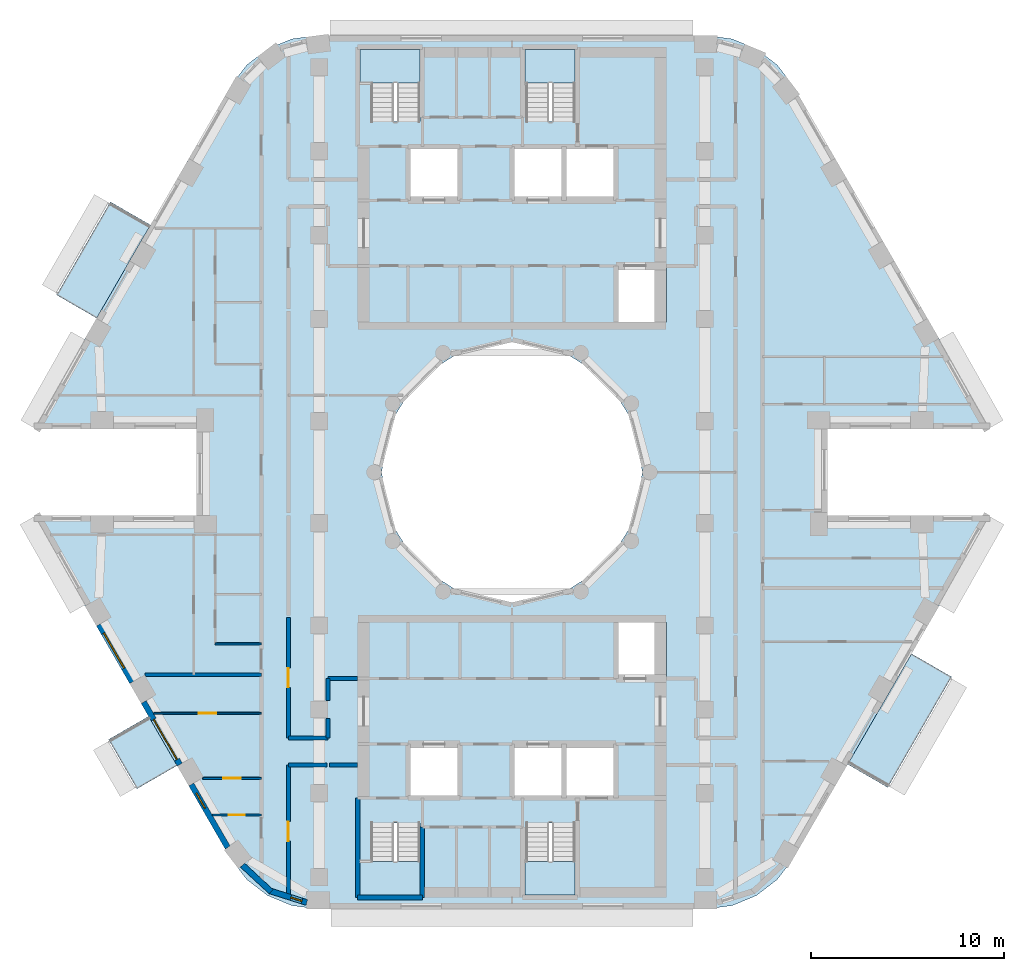
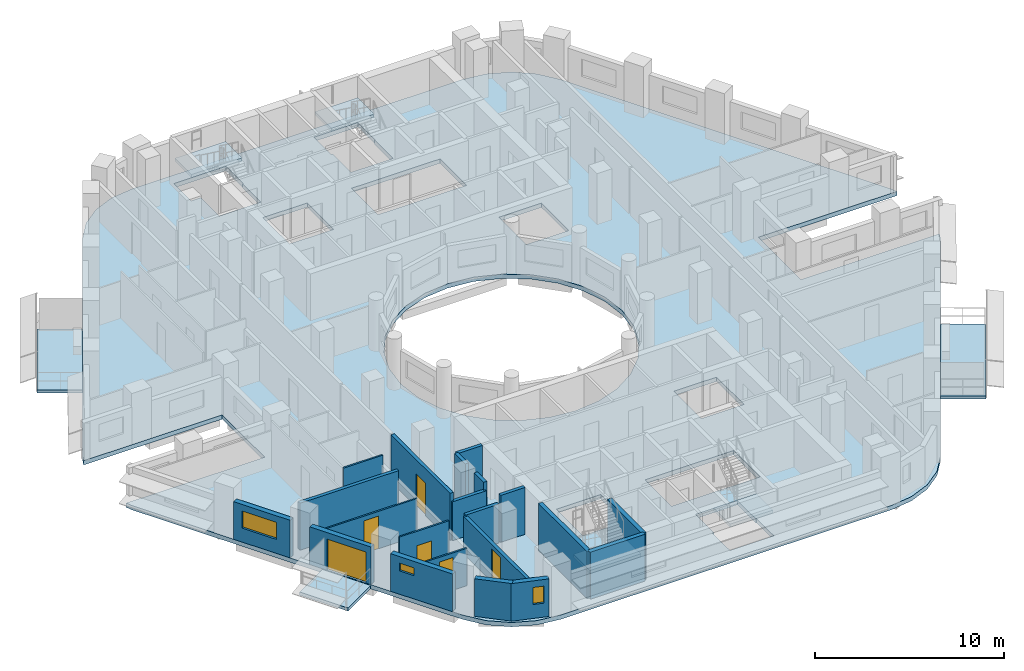
# One storey, part 2 of 17: 21 walls, 8 slabs, 6 doors, 3 windows, 9 openings, 4 elements without a shape of their own.
"""IFC4 building model written with IfcOpenShell, lengths in metres."""

from ifc_helpers import new_model, si_unit, direction, frame, frame_2d, origin, place, context, subcontext, project, spatial, polyline, rectangle, outline, extrude, material, layer, layer_set, type_object, element, fill, aggregate, save


model = new_model("IFC4")

# Units and contexts
model_context = context("Model", 3, precision=1e-05, world=origin(), true_north=direction((0.0, 1.0)))
body_context = subcontext(model_context, "Body", "Model", "MODEL_VIEW")
ifc_project = project(units=[si_unit("LENGTHUNIT", "METRE"), si_unit("AREAUNIT", "SQUARE_METRE"), si_unit("VOLUMEUNIT", "CUBIC_METRE"), si_unit("PLANEANGLEUNIT", "RADIAN"), si_unit("MASSUNIT", "GRAM", prefix="KILO")], contexts=[model_context])

# Site, building, storey
site_placement = place(None, origin())
site = spatial("IfcSite", under=ifc_project, at=site_placement, CompositionType="ELEMENT")
building_placement = place(site_placement, origin())
building = spatial("IfcBuilding", under=site, at=building_placement, Name="Nakaniwa Court", CompositionType="ELEMENT")
storey_placement = place(building_placement, frame((0.0, 0.0, 203.10009765625)))
storey = spatial("IfcBuildingStorey", under=building, at=storey_placement, Name="L53", CompositionType="ELEMENT", Elevation=203.10009765625)

# Slabs
ifc_material_1 = material(Name="Charcoal ceramic paver")
ifc_layer_1 = layer(ifc_material_1, 0.02, Name="Ceramic paver")
ifc_material_2 = material(Name="Cement sand screed")
ifc_layer_2 = layer(ifc_material_2, 0.03, Name="Falls screed")
ifc_material_3 = material(Name="Concrete C40/50", Category="concrete")
ifc_layer_3 = layer(ifc_material_3, 0.15, Name="Balcony slab")
ifc_layer_set_1 = layer_set([ifc_layer_1, ifc_layer_2, ifc_layer_3], Name="Concrete C40/50 balcony slab with ceramic paver finish")
slab_type_1 = type_object("IfcSlabType", Name="Balcony slab 200", PredefinedType="FLOOR", material=ifc_layer_set_1)
slab_1_placement = place(storey_placement, frame((0.0, 0.0, -0.25)))
element("IfcSlab", 1, at=slab_1_placement, inside=storey, type_object=slab_type_1, Name="L53 balcony 01", PredefinedType="FLOOR", context=body_context, shape_type="SweptSolid", body=[
    extrude(outline(polyline([(61.2490234375, 92.822509765625), (58.46142578125, 87.994140625), (56.383056640625, 89.194091796875), (59.170654296875, 94.0224609375), (61.2490234375, 92.822509765625)])), origin(), (0.0, 0.0, 1.0), 0.199951171875),
])
slab_2_placement = place(storey_placement, frame((0.0, 0.0, -0.25)))
element("IfcSlab", 2, at=slab_2_placement, inside=storey, type_object=slab_type_1, Name="L53 balcony 02", PredefinedType="FLOOR", context=body_context, shape_type="SweptSolid", body=[
    extrude(outline(polyline([(61.1552734375, 67.340087890625), (62.629150390625, 64.787353515625), (60.55078125, 63.58740234375), (59.076904296875, 66.139892578125), (61.1552734375, 67.340087890625)])), origin(), (0.0, 0.0, 1.0), 0.199951171875),
])
slab_3_placement = place(storey_placement, frame((0.0, 0.0, -0.25)))
element("IfcSlab", 3, at=slab_3_placement, inside=storey, type_object=slab_type_1, Name="L53 balcony 03", PredefinedType="FLOOR", context=body_context, shape_type="SweptSolid", body=[
    extrude(outline(polyline([(97.409423828125, 64.85400390625), (100.718994140625, 70.586181640625), (102.797607421875, 69.38623046875), (99.48779296875, 63.65380859375), (97.409423828125, 64.85400390625)])), origin(), (0.0, 0.0, 1.0), 0.199951171875),
])
ifc_material_4 = material(Name="Concrete C80/100", Category="concrete")
ifc_layer_4 = layer(ifc_material_4, 0.27490234375)
ifc_layer_set_2 = layer_set([ifc_layer_4], Name="Concrete C80/100")
slab_type_2 = type_object("IfcSlabType", Name="Concrete C80/100 post tensioned floor slab 275", PredefinedType="FLOOR", material=ifc_layer_set_2)
slab_4_placement = place(storey_placement, frame((0.0, 0.0, -0.275146484375)))
element("IfcSlab", 4, at=slab_4_placement, inside=storey, type_object=slab_type_2, Name="FLOOR SLAB", PredefinedType="FLOOR", context=body_context, shape_type="SweptSolid", body=[
    extrude(outline(polyline([(96.349609375, 82.25), (104.7978515625, 82.25), (104.65283203125, 82.60009765625), (94.578125, 100.050048828125), (93.751708984375, 101.126953125), (92.6748046875, 101.953369140625), (91.420654296875, 102.472900390625), (90.07470703125, 102.64990234375), (69.92529296875, 102.64990234375), (68.579345703125, 102.472900390625), (67.3251953125, 101.953369140625), (66.248291015625, 101.126953125), (65.421875, 100.050048828125), (55.34716796875, 82.60009765625), (55.2021484375, 82.25), (63.650390625, 82.25), (63.650390625, 77.75), (55.2021484375, 77.75), (55.34716796875, 77.39990234375), (65.421875, 59.949951171875), (66.248291015625, 58.873046875), (67.3251953125, 58.046630859375), (68.579345703125, 57.527099609375), (69.92529296875, 57.35009765625), (90.07470703125, 57.35009765625), (91.420654296875, 57.527099609375), (92.6748046875, 58.046630859375), (93.751708984375, 58.873046875), (94.578125, 59.949951171875), (104.65283203125, 77.39990234375), (104.7978515625, 77.75), (96.349609375, 77.75), (96.349609375, 82.25)]), holes=[polyline([(81.501953125, 86.580810546875), (80.0, 86.75), (78.498046875, 86.580810546875), (77.0712890625, 86.08154296875), (75.79150390625, 85.27734375), (74.72265625, 84.20849609375), (73.91845703125, 82.9287109375), (73.419189453125, 81.501953125), (73.25, 80.0), (73.419189453125, 78.498046875), (73.91845703125, 77.0712890625), (74.72265625, 75.79150390625), (75.79150390625, 74.72265625), (77.0712890625, 73.91845703125), (78.498046875, 73.419189453125), (80.0, 73.25), (81.501953125, 73.419189453125), (82.9287109375, 73.91845703125), (84.20849609375, 74.72265625), (85.27734375, 75.79150390625), (86.08154296875, 77.0712890625), (86.580810546875, 78.498046875), (86.75, 80.0), (86.580810546875, 81.501953125), (86.08154296875, 82.9287109375), (85.27734375, 84.20849609375), (84.20849609375, 85.27734375), (82.9287109375, 86.08154296875), (81.501953125, 86.580810546875)]), polyline([(72.675048828125, 61.81005859375), (72.675048828125, 59.864990234375), (72.0849609375, 59.864990234375), (72.0849609375, 58.034912109375), (75.264892578125, 58.034912109375), (75.264892578125, 59.864990234375), (75.22509765625, 59.864990234375), (75.22509765625, 61.81005859375), (72.675048828125, 61.81005859375)]), polyline([(77.300048828125, 65.89990234375), (74.60009765625, 65.89990234375), (74.60009765625, 63.10009765625), (77.300048828125, 63.10009765625), (77.300048828125, 65.89990234375)]), polyline([(80.0, 65.89990234375), (80.0, 63.10009765625), (82.699951171875, 63.10009765625), (85.39990234375, 63.10009765625), (85.39990234375, 65.89990234375), (82.699951171875, 65.89990234375), (80.0, 65.89990234375)]), polyline([(77.300048828125, 96.89990234375), (74.60009765625, 96.89990234375), (74.60009765625, 94.10009765625), (77.300048828125, 94.10009765625), (77.300048828125, 96.89990234375)]), polyline([(80.0, 96.89990234375), (80.0, 94.10009765625), (82.699951171875, 94.10009765625), (85.39990234375, 94.10009765625), (85.39990234375, 96.89990234375), (82.699951171875, 96.89990234375), (80.0, 96.89990234375)]), polyline([(75.264892578125, 100.135009765625), (75.264892578125, 101.965087890625), (72.0849609375, 101.965087890625), (72.0849609375, 100.135009765625), (72.675048828125, 100.135009765625), (72.675048828125, 98.18994140625), (75.22509765625, 98.18994140625), (75.22509765625, 100.135009765625), (75.264892578125, 100.135009765625)]), polyline([(83.27490234375, 61.81005859375), (80.72509765625, 61.81005859375), (80.72509765625, 59.864990234375), (80.635009765625, 59.864990234375), (80.635009765625, 58.034912109375), (83.31494140625, 58.034912109375), (83.31494140625, 59.864990234375), (83.27490234375, 59.864990234375), (83.27490234375, 61.81005859375)]), polyline([(88.0, 72.199951171875), (85.39990234375, 72.199951171875), (85.39990234375, 69.300048828125), (88.0, 69.300048828125), (88.0, 72.199951171875)]), polyline([(88.0, 90.699951171875), (85.39990234375, 90.699951171875), (85.39990234375, 87.800048828125), (88.0, 87.800048828125), (88.0, 90.699951171875)]), polyline([(83.31494140625, 100.135009765625), (83.31494140625, 101.965087890625), (80.635009765625, 101.965087890625), (80.635009765625, 100.135009765625), (80.72509765625, 100.135009765625), (80.72509765625, 98.18994140625), (83.27490234375, 98.18994140625), (83.27490234375, 100.135009765625), (83.31494140625, 100.135009765625)])]), origin(), (0.0, 0.0, 1.0), 0.275146484375),
])

# Stair, slab
stair_type = type_object("IfcStairType", Name="Dog leg stair 1200 wide 18 risers", PredefinedType="HALF_TURN_STAIR", material=ifc_material_4)
stair_1_placement = place(storey_placement, origin())
stair_1 = element("IfcStair", 5, at=stair_1_placement, inside=storey, type_object=stair_type, Name="L53 Stair ST1", PredefinedType="HALF_TURN_STAIR")
ifc_layer_5 = layer(ifc_material_4, 0.199951171875)
ifc_layer_set_3 = layer_set([ifc_layer_5], Name="Concrete C80/100")
slab_type_3 = type_object("IfcSlabType", Name="Stair landing concrete", PredefinedType="LANDING", material=ifc_layer_set_3)
slab_5_placement = place(storey_placement, frame((0.0, 0.0, 1.449951171875)))
slab_5 = element("IfcSlab", 6, at=slab_5_placement, type_object=slab_type_3, Name="ST1 landing 1", PredefinedType="LANDING", context=body_context, shape_type="SweptSolid", body=[
    extrude(outline(polyline([(75.22509765625, 100.175048828125), (75.22509765625, 101.925048828125), (72.125, 101.925048828125), (72.125, 100.175048828125), (75.22509765625, 100.175048828125)])), origin(), (0.0, 0.0, 1.0), 0.199951171875),
])
aggregate(stair_1, [slab_5])

stair_2_placement = place(storey_placement, origin())
stair_2 = element("IfcStair", 7, at=stair_2_placement, inside=storey, type_object=stair_type, Name="L53 Stair ST2", PredefinedType="HALF_TURN_STAIR")
slab_6_placement = place(storey_placement, frame((0.0, 0.0, 1.449951171875)))
slab_6 = element("IfcSlab", 8, at=slab_6_placement, type_object=slab_type_3, Name="ST2 landing 1", PredefinedType="LANDING", context=body_context, shape_type="SweptSolid", body=[
    extrude(outline(polyline([(83.27490234375, 100.175048828125), (83.27490234375, 101.925048828125), (80.675048828125, 101.925048828125), (80.675048828125, 100.175048828125), (83.27490234375, 100.175048828125)])), origin(), (0.0, 0.0, 1.0), 0.199951171875),
])
aggregate(stair_2, [slab_6])

stair_3_placement = place(storey_placement, origin())
stair_3 = element("IfcStair", 9, at=stair_3_placement, inside=storey, type_object=stair_type, Name="L53 Stair ST3", PredefinedType="HALF_TURN_STAIR")
slab_7_placement = place(storey_placement, frame((0.0, 0.0, 1.449951171875)))
slab_7 = element("IfcSlab", 10, at=slab_7_placement, type_object=slab_type_3, Name="ST3 landing 1", PredefinedType="LANDING", context=body_context, shape_type="SweptSolid", body=[
    extrude(outline(polyline([(75.22509765625, 58.074951171875), (75.22509765625, 59.824951171875), (72.125, 59.824951171875), (72.125, 58.074951171875), (75.22509765625, 58.074951171875)])), origin(), (0.0, 0.0, 1.0), 0.199951171875),
])
aggregate(stair_3, [slab_7])

stair_4_placement = place(storey_placement, origin())
stair_4 = element("IfcStair", 11, at=stair_4_placement, inside=storey, type_object=stair_type, Name="L53 Stair ST4", PredefinedType="HALF_TURN_STAIR")
slab_8_placement = place(storey_placement, frame((0.0, 0.0, 1.449951171875)))
slab_8 = element("IfcSlab", 12, at=slab_8_placement, type_object=slab_type_3, Name="ST4 landing 1", PredefinedType="LANDING", context=body_context, shape_type="SweptSolid", body=[
    extrude(outline(polyline([(83.27490234375, 58.074951171875), (83.27490234375, 59.824951171875), (80.675048828125, 59.824951171875), (80.675048828125, 58.074951171875), (83.27490234375, 58.074951171875)])), origin(), (0.0, 0.0, 1.0), 0.199951171875),
])
aggregate(stair_4, [slab_8])

# Walls
ifc_material_5 = material(Name="Acoustic double stud partition")
ifc_layer_6 = layer(ifc_material_5, 0.199951171875)
ifc_layer_set_4 = layer_set([ifc_layer_6], Name="Acoustic double stud partition")
wall_type_1 = type_object("IfcWallType", Name="Acoustic double stud partition 200", PredefinedType="PARTITIONING", material=ifc_layer_set_4)
wall_1_placement = place(storey_placement, frame((68.39990234375, 64.824951171875, 0.0), z_axis=(0.0, 0.0, 1.0), x_axis=(1.0, 0.0, 0.0)))
element("IfcWall", 13, at=wall_1_placement, inside=storey, type_object=wall_type_1, Name="Partition PW-080", PredefinedType="PARTITIONING", context=body_context, shape_type="SweptSolid", body=[
    extrude(rectangle(XDim=2.012939453125, YDim=0.199951171875, at=frame_2d((1.00634765625, 0.0))), origin(), (0.0, 0.0, 1.0), 2.5048828125),
])
wall_2_placement = place(storey_placement, frame((70.527099609375, 64.824951171875, 0.0), z_axis=(0.0, 0.0, 1.0), x_axis=(1.0, 0.0, 0.0)))
element("IfcWall", 14, at=wall_2_placement, inside=storey, type_object=wall_type_1, Name="Partition PW-081", PredefinedType="PARTITIONING", context=body_context, shape_type="SweptSolid", body=[
    extrude(rectangle(XDim=1.472900390625, YDim=0.199951171875, at=frame_2d((0.736328125, 0.0))), origin(), (0.0, 0.0, 1.0), 3.02490234375),
])
wall_3_placement = place(storey_placement, frame((70.449951171875, 69.300048828125, 0.0), z_axis=(0.0, 0.0, 1.0), x_axis=(1.0, 0.0, 0.0)))
element("IfcWall", 15, at=wall_3_placement, inside=storey, type_object=wall_type_1, Name="Partition PW-085", PredefinedType="PARTITIONING", context=body_context, shape_type="SweptSolid", body=[
    extrude(rectangle(XDim=1.550048828125, YDim=0.199951171875, at=frame_2d((0.77490234375, 0.0))), origin(), (0.0, 0.0, 1.0), 3.02490234375),
])
wall_4_placement = place(storey_placement, frame((68.39990234375, 66.22509765625, 0.0), z_axis=(0.0, 0.0, 1.0), x_axis=(1.0, 0.0, 0.0)))
element("IfcWall", 16, at=wall_4_placement, inside=storey, type_object=wall_type_1, Name="Partition PW-091", PredefinedType="PARTITIONING", context=body_context, shape_type="SweptSolid", body=[
    extrude(rectangle(XDim=2.050048828125, YDim=0.199951171875, at=frame_2d((1.02490234375, 0.0))), origin(), (0.0, 0.0, 1.0), 2.5048828125),
])

# Wall, opening, door
wall_5_placement = place(storey_placement, frame((68.39990234375, 64.824951171875, 0.0), z_axis=(0.0, 0.0, 1.0), x_axis=(0.0, -1.0, 0.0)))
wall_5 = element("IfcWall", 17, at=wall_5_placement, inside=storey, type_object=wall_type_1, Name="Partition PW-101", PredefinedType="PARTITIONING", context=body_context, shape_type="SweptSolid", body=[
    extrude(rectangle(XDim=6.898681640625, YDim=0.199951171875, at=frame_2d((3.44921875, 0.0))), origin(), (0.0, 0.0, 1.0), 2.40478515625),
])
opening_1_placement = place(wall_5_placement, frame((2.949951171875, 0.0, 0.0)))
opening_1 = element("IfcOpeningElement", 18, at=opening_1_placement, cuts=wall_5, Name="Opening D-02-04", PredefinedType="OPENING", context=body_context, shape_type="SweptSolid", body=[
    extrude(rectangle(XDim=1.0, YDim=2.10009765625, at=frame_2d((0.5, 1.050048828125))), frame((0.0, 0.10986328125, 0.0), z_axis=(0.0, -1.0, 0.0), x_axis=(1.0, 0.0, 0.0)), (0.0, 0.0, 1.0), 0.219970703125),
])
ifc_material_6 = material(Name="Solid core timber door set, black veneer", Category="wood")
door_type_1 = type_object("IfcDoorType", Name="Internal door 1000", OperationType="NOTDEFINED", PredefinedType="DOOR", material=ifc_material_6)
door_1_placement = place(opening_1_placement, origin())
door_1 = element("IfcDoor", 19, at=door_1_placement, inside=storey, type_object=door_type_1, Name="Door D-02-04 L53-041", OperationType="SINGLE_SWING_RIGHT", OverallHeight=2.10009765625, OverallWidth=1.0, PredefinedType="DOOR", context=body_context, shape_type="SweptSolid", body=[
    extrude(rectangle(XDim=1.0, YDim=2.10009765625, at=frame_2d((0.5, 1.050048828125))), frame((0.0, 0.02490234375, 0.0), z_axis=(0.0, -1.0, 0.0), x_axis=(1.0, 0.0, 0.0)), (0.0, 0.0, 1.0), 0.050048828125),
])
fill(opening_1, door_1)

wall_6_placement = place(storey_placement, frame((68.39990234375, 72.462890625, 0.0), z_axis=(0.0, 0.0, 1.0), x_axis=(0.0, -1.0, 0.0)))
wall_6 = element("IfcWall", 20, at=wall_6_placement, inside=storey, type_object=wall_type_1, Name="Partition PW-102", PredefinedType="PARTITIONING", context=body_context, shape_type="SweptSolid", body=[
    extrude(rectangle(XDim=6.23779296875, YDim=0.199951171875, at=frame_2d((3.118896484375, 0.0))), origin(), (0.0, 0.0, 1.0), 3.02490234375),
])
opening_2_placement = place(wall_6_placement, frame((2.6201171875, 0.0, 0.0)))
opening_2 = element("IfcOpeningElement", 21, at=opening_2_placement, cuts=wall_6, Name="Opening D-02-05", PredefinedType="OPENING", context=body_context, shape_type="SweptSolid", body=[
    extrude(rectangle(XDim=1.0, YDim=2.10009765625, at=frame_2d((0.5, 1.050048828125))), frame((0.0, 0.10986328125, 0.0), z_axis=(0.0, -1.0, 0.0), x_axis=(1.0, 0.0, 0.0)), (0.0, 0.0, 1.0), 0.219970703125),
])
door_2_placement = place(opening_2_placement, origin())
door_2 = element("IfcDoor", 22, at=door_2_placement, inside=storey, type_object=door_type_1, Name="Door D-02-05 L53-050", OperationType="SINGLE_SWING_LEFT", OverallHeight=2.10009765625, OverallWidth=1.0, PredefinedType="DOOR", context=body_context, shape_type="SweptSolid", body=[
    extrude(rectangle(XDim=1.0, YDim=2.10009765625, at=frame_2d((0.5, 1.050048828125))), frame((0.0, 0.02490234375, 0.0), z_axis=(0.0, -1.0, 0.0), x_axis=(1.0, 0.0, 0.0)), (0.0, 0.0, 1.0), 0.050048828125),
])
fill(opening_2, door_2)

# Walls
wall_7_placement = place(storey_placement, frame((70.449951171875, 66.22509765625, 0.0), z_axis=(0.0, 0.0, 1.0), x_axis=(0.0, 1.0, 0.0)))
element("IfcWall", 23, at=wall_7_placement, inside=storey, type_object=wall_type_1, Name="Partition PW-108", PredefinedType="PARTITIONING", context=body_context, shape_type="SweptSolid", body=[
    extrude(rectangle(XDim=1.0078125, YDim=0.199951171875, at=frame_2d((0.50390625, 0.0))), origin(), (0.0, 0.0, 1.0), 3.02490234375),
])
wall_8_placement = place(storey_placement, frame((70.449951171875, 68.167236328125, 0.0), z_axis=(0.0, 0.0, 1.0), x_axis=(0.0, 1.0, 0.0)))
element("IfcWall", 24, at=wall_8_placement, inside=storey, type_object=wall_type_1, Name="Partition PW-109", PredefinedType="PARTITIONING", context=body_context, shape_type="SweptSolid", body=[
    extrude(rectangle(XDim=1.1328125, YDim=0.199951171875, at=frame_2d((0.56640625, 0.0))), origin(), (0.0, 0.0, 1.0), 3.02490234375),
])
wall_9_placement = place(storey_placement, frame((60.970703125, 69.5, 0.0), z_axis=(0.0, 0.0, 1.0), x_axis=(1.0, 0.0, 0.0)))
element("IfcWall", 25, at=wall_9_placement, inside=storey, type_object=wall_type_1, Name="Partition PW-129", PredefinedType="PARTITIONING", context=body_context, shape_type="SweptSolid", body=[
    extrude(rectangle(XDim=6.0283203125, YDim=0.199951171875, at=frame_2d((3.01416015625, 0.0))), origin(), (0.0, 0.0, 1.0), 3.02490234375),
])

# Wall, opening, window
ifc_material_7 = material(Name="Charcoal ceramic cladding")
ifc_layer_7 = layer(ifc_material_7, 0.02, Name="Ceramic cladding")
ifc_material_8 = material(Name="Ventilated air cavity")
ifc_layer_8 = layer(ifc_material_8, 0.04, ventilated=True, Name="Ventilated cavity")
ifc_material_9 = material(Name="Mineral wool insulation")
ifc_layer_9 = layer(ifc_material_9, 0.1, Name="Insulation")
ifc_material_10 = material(Name="Cement bonded sheathing board")
ifc_layer_10 = layer(ifc_material_10, 0.012, Name="Sheathing")
ifc_material_11 = material(Name="Cold-formed galvanised stud frame with mineral wool infill")
ifc_layer_11 = layer(ifc_material_11, 0.1, Name="Stud frame")
ifc_material_12 = material(Name="Fire-rated gypsum plasterboard lining")
ifc_layer_12 = layer(ifc_material_12, 0.028, Name="Lining")
ifc_layer_set_5 = layer_set([ifc_layer_7, ifc_layer_8, ifc_layer_9, ifc_layer_10, ifc_layer_11, ifc_layer_12], Name="Charcoal ceramic faced external wall system")
wall_type_2 = type_object("IfcWallType", Name="Black ceramic faced external wall 300", PredefinedType="SOLIDWALL", material=ifc_layer_set_5)
wall_10_placement = place(storey_placement, frame((58.579345703125, 72.101806640625, 0.0), z_axis=(0.0, 0.0, 1.0), x_axis=(0.499955427682, -0.866051136095, 0.0)))
wall_10 = element("IfcWall", 26, at=wall_10_placement, inside=storey, type_object=wall_type_2, Name="L53 external wall 21", PredefinedType="SOLIDWALL", context=body_context, shape_type="SweptSolid", body=[
    extrude(rectangle(XDim=3.447021484375, YDim=0.300048828125, at=frame_2d((1.7236328125, 0.0))), origin(), (0.0, 0.0, 1.0), 2.4248046875),
])
opening_3_placement = place(wall_10_placement, frame((0.51318359375, 0.0, 0.89990234375)))
opening_3 = element("IfcOpeningElement", 27, at=opening_3_placement, cuts=wall_10, Name="Opening W7.23", PredefinedType="OPENING", context=body_context, shape_type="SweptSolid", body=[
    extrude(rectangle(XDim=2.10009765625, YDim=1.10009765625, at=frame_2d((1.050048828125, 0.550048828125))), frame((0.0, 0.159912109375, 0.0), z_axis=(0.0, -1.0, 0.0), x_axis=(1.0, 0.0, 0.0)), (0.0, 0.0, 1.0), 0.320068359375),
])
ifc_material_13 = material(Name="Black anodised aluminium frame with dark low-E laminated double glazing", Category="aluminium")
window_type_1 = type_object("IfcWindowType", Name="Dark glass window 2100x1100 sill 900", PartitioningType="SINGLE_PANEL", PredefinedType="WINDOW", material=ifc_material_13)
window_1_placement = place(opening_3_placement, origin())
window_1 = element("IfcWindow", 28, at=window_1_placement, inside=storey, type_object=window_type_1, Name="L53 living window 21-0", OverallHeight=1.10009765625, OverallWidth=2.10009765625, PartitioningType="SINGLE_PANEL", PredefinedType="WINDOW", context=body_context, shape_type="SweptSolid", body=[
    extrude(rectangle(XDim=2.10009765625, YDim=1.10009765625, at=frame_2d((1.050048828125, 0.550048828125))), frame((0.0, 0.030029296875, 0.0), z_axis=(0.0, -1.0, 0.0), x_axis=(1.0, 0.0, 0.0)), (0.0, 0.0, 1.0), 0.06005859375),
])
fill(opening_3, window_1)

# Wall, opening, door
wall_11_placement = place(storey_placement, frame((60.898681640625, 68.083984375, 0.0), z_axis=(0.0, 0.0, 1.0), x_axis=(0.500059225181, -0.86599120741, 0.0)))
wall_11 = element("IfcWall", 29, at=wall_11_placement, inside=storey, type_object=wall_type_2, Name="L53 external wall 22", PredefinedType="SOLIDWALL", context=body_context, shape_type="SweptSolid", body=[
    extrude(rectangle(XDim=3.744140625, YDim=0.300048828125, at=frame_2d((1.8720703125, 0.0))), origin(), (0.0, 0.0, 1.0), 2.4248046875),
])
opening_4_placement = place(wall_11_placement, frame((1.04638671875, 0.0, 0.0)))
opening_4 = element("IfcOpeningElement", 30, at=opening_4_placement, cuts=wall_11, Name="Opening XD13.02", PredefinedType="OPENING", context=body_context, shape_type="SweptSolid", body=[
    extrude(rectangle(XDim=2.39990234375, YDim=2.0, at=frame_2d((1.199951171875, 1.0))), frame((0.0, 0.159912109375, 0.0), z_axis=(0.0, -1.0, 0.0), x_axis=(1.0, 0.0, 0.0)), (0.0, 0.0, 1.0), 0.320068359375),
])
ifc_material_14 = material(Name="Black powder-coated aluminium frame with dark laminated glass", Category="aluminium")
door_type_2 = type_object("IfcDoorType", Name="Balcony sliding door 2400x2000", OperationType="DOUBLE_DOOR_SLIDING", PredefinedType="DOOR", material=ifc_material_14)
door_3_placement = place(opening_4_placement, origin())
door_3 = element("IfcDoor", 31, at=door_3_placement, inside=storey, type_object=door_type_2, Name="L53 balcony sliding door 02", OperationType="DOUBLE_DOOR_SLIDING", OverallHeight=2.0, OverallWidth=2.39990234375, PredefinedType="DOOR", context=body_context, shape_type="SweptSolid", body=[
    extrude(rectangle(XDim=2.39990234375, YDim=2.0, at=frame_2d((1.199951171875, 1.0))), frame((0.0, 0.02490234375, 0.0), z_axis=(0.0, -1.0, 0.0), x_axis=(1.0, 0.0, 0.0)), (0.0, 0.0, 1.0), 0.050048828125),
])
fill(opening_4, door_3)

# Wall, opening, window
wall_12_placement = place(storey_placement, frame((63.366943359375, 63.809326171875, 0.0), z_axis=(0.0, 0.0, 1.0), x_axis=(0.499961087031, -0.866047869032, 0.0)))
wall_12 = element("IfcWall", 32, at=wall_12_placement, inside=storey, type_object=wall_type_2, Name="L53 external wall 23", PredefinedType="SOLIDWALL", context=body_context, shape_type="SweptSolid", body=[
    extrude(rectangle(XDim=3.778564453125, YDim=0.300048828125, at=frame_2d((1.88916015625, 0.0))), origin(), (0.0, 0.0, 1.0), 2.4248046875),
])
opening_5_placement = place(wall_12_placement, frame((0.525634765625, 0.0, 1.5)))
opening_5 = element("IfcOpeningElement", 33, at=opening_5_placement, cuts=wall_12, Name="Opening W10.24", PredefinedType="OPENING", context=body_context, shape_type="SweptSolid", body=[
    extrude(rectangle(XDim=0.89990234375, YDim=0.5, at=frame_2d((0.449951171875, 0.25))), frame((0.0, 0.159912109375, 0.0), z_axis=(0.0, -1.0, 0.0), x_axis=(1.0, 0.0, 0.0)), (0.0, 0.0, 1.0), 0.320068359375),
])
window_type_2 = type_object("IfcWindowType", Name="Dark glass window 900x500 sill 1500", PartitioningType="SINGLE_PANEL", PredefinedType="WINDOW", material=ifc_material_13)
window_2_placement = place(opening_5_placement, origin())
window_2 = element("IfcWindow", 34, at=window_2_placement, inside=storey, type_object=window_type_2, Name="L53 bathroom window 23-0", OverallHeight=0.5, OverallWidth=0.89990234375, PartitioningType="SINGLE_PANEL", PredefinedType="WINDOW", context=body_context, shape_type="SweptSolid", body=[
    extrude(rectangle(XDim=0.89990234375, YDim=0.5, at=frame_2d((0.449951171875, 0.25))), frame((0.0, 0.030029296875, 0.0), z_axis=(0.0, -1.0, 0.0), x_axis=(1.0, 0.0, 0.0)), (0.0, 0.0, 1.0), 0.06005859375),
])
fill(opening_5, window_2)

# Wall
wall_13_placement = place(storey_placement, frame((66.0224609375, 59.622314453125, 0.0), z_axis=(0.0, 0.0, 1.0), x_axis=(0.734627852992, -0.678470277616, 0.0)))
element("IfcWall", 35, at=wall_13_placement, inside=storey, type_object=wall_type_2, Name="L53 external wall 24", PredefinedType="SOLIDWALL", context=body_context, shape_type="SweptSolid", body=[
    extrude(rectangle(XDim=2.02587890625, YDim=0.300048828125, at=frame_2d((1.012939453125, 0.0))), origin(), (0.0, 0.0, 1.0), 2.4248046875),
])

# Wall, opening, window
wall_14_placement = place(storey_placement, frame((67.40576171875, 58.3017578125, 0.0), z_axis=(0.0, 0.0, 1.0), x_axis=(0.953537608367, -0.301274010545, 0.0)))
wall_14 = element("IfcWall", 36, at=wall_14_placement, inside=storey, type_object=wall_type_2, Name="L53 external wall 25", PredefinedType="SOLIDWALL", context=body_context, shape_type="SweptSolid", body=[
    extrude(rectangle(XDim=2.0478515625, YDim=0.300048828125, at=frame_2d((1.02392578125, 0.0))), origin(), (0.0, 0.0, 1.0), 2.4248046875),
])
opening_6_placement = place(wall_14_placement, frame((1.1796875, 0.0, 0.89990234375)))
opening_6 = element("IfcOpeningElement", 37, at=opening_6_placement, cuts=wall_14, Name="Opening W8.25", PredefinedType="OPENING", context=body_context, shape_type="SweptSolid", body=[
    extrude(rectangle(XDim=0.60009765625, YDim=1.10009765625, at=frame_2d((0.300048828125, 0.550048828125))), frame((0.0, 0.159912109375, 0.0), z_axis=(0.0, -1.0, 0.0), x_axis=(1.0, 0.0, 0.0)), (0.0, 0.0, 1.0), 0.320068359375),
])
window_type_3 = type_object("IfcWindowType", Name="Dark glass window 600x1100 sill 900", PartitioningType="SINGLE_PANEL", PredefinedType="WINDOW", material=ifc_material_13)
window_3_placement = place(opening_6_placement, origin())
window_3 = element("IfcWindow", 38, at=window_3_placement, inside=storey, type_object=window_type_3, Name="L53 habitable room window 25-1", OverallHeight=1.10009765625, OverallWidth=0.60009765625, PartitioningType="SINGLE_PANEL", PredefinedType="WINDOW", context=body_context, shape_type="SweptSolid", body=[
    extrude(rectangle(XDim=0.60009765625, YDim=1.10009765625, at=frame_2d((0.300048828125, 0.550048828125))), frame((0.0, 0.030029296875, 0.0), z_axis=(0.0, -1.0, 0.0), x_axis=(1.0, 0.0, 0.0)), (0.0, 0.0, 1.0), 0.06005859375),
])
fill(opening_6, window_3)

# Walls
ifc_layer_13 = layer(ifc_material_4, 0.25)
ifc_layer_set_6 = layer_set([ifc_layer_13], Name="Concrete C80/100")
wall_type_3 = type_object("IfcWallType", Name="Concrete core wall 250 C80", PredefinedType="SHEAR", material=ifc_layer_set_6)
wall_15_placement = place(storey_placement, frame((72.0, 57.949951171875, -0.275146484375), z_axis=(0.0, 0.0, 1.0), x_axis=(0.0, 1.0, 0.0)))
element("IfcWall", 39, at=wall_15_placement, inside=storey, type_object=wall_type_3, Name="Core wall SW-62", PredefinedType="SHEAR", context=body_context, shape_type="SweptSolid", body=[
    extrude(rectangle(XDim=5.150146484375, YDim=0.25, at=frame_2d((2.5751953125, 0.0))), origin(), (0.0, 0.0, 1.0), 3.300048828125),
])
wall_16_placement = place(storey_placement, frame((72.0, 57.949951171875, -0.275146484375), z_axis=(0.0, 0.0, 1.0), x_axis=(1.0, 0.0, 0.0)))
element("IfcWall", 40, at=wall_16_placement, inside=storey, type_object=wall_type_3, Name="Core wall SW-63", PredefinedType="SHEAR", context=body_context, shape_type="SweptSolid", body=[
    extrude(rectangle(XDim=3.35009765625, YDim=0.25, at=frame_2d((1.675048828125, 0.0))), origin(), (0.0, 0.0, 1.0), 3.300048828125),
])
ifc_layer_14 = layer(ifc_material_4, 0.25)
ifc_layer_set_7 = layer_set([ifc_layer_14], Name="Concrete C80/100")
wall_type_4 = type_object("IfcWallType", Name="Concrete shaft wall 250 C80", PredefinedType="SHEAR", material=ifc_layer_set_7)
wall_17_placement = place(storey_placement, frame((75.35009765625, 57.949951171875, -0.275146484375), z_axis=(0.0, 0.0, 1.0), x_axis=(0.0, 1.0, 0.0)))
element("IfcWall", 41, at=wall_17_placement, inside=storey, type_object=wall_type_4, Name="Core wall SW-61", PredefinedType="SHEAR", context=body_context, shape_type="SweptSolid", body=[
    extrude(rectangle(XDim=3.653076171875, YDim=0.25, at=frame_2d((1.82666015625, 0.0))), origin(), (0.0, 0.0, 1.0), 3.300048828125),
])

# Wall, opening, door
ifc_material_15 = material(Name="Single stud plasterboard partition")
ifc_layer_15 = layer(ifc_material_15, 0.10009765625)
ifc_layer_set_8 = layer_set([ifc_layer_15], Name="Single stud plasterboard partition")
wall_type_5 = type_object("IfcWallType", Name="Single stud plasterboard partition 100", PredefinedType="PARTITIONING", material=ifc_layer_set_8)
wall_18_placement = place(storey_placement, frame((64.454833984375, 62.22509765625, 0.0), z_axis=(0.0, 0.0, 1.0), x_axis=(1.0, 0.0, 0.0)))
wall_18 = element("IfcWall", 42, at=wall_18_placement, inside=storey, type_object=wall_type_5, Name="Partition PW-116", PredefinedType="PARTITIONING", context=body_context, shape_type="SweptSolid", body=[
    extrude(rectangle(XDim=2.544189453125, YDim=0.10009765625, at=frame_2d((1.27197265625, 0.0))), origin(), (0.0, 0.0, 1.0), 2.40478515625),
])
opening_7_placement = place(wall_18_placement, frame((0.846923828125, 0.0, 0.0)))
opening_7 = element("IfcOpeningElement", 43, at=opening_7_placement, cuts=wall_18, Name="Opening D-03-03", PredefinedType="OPENING", context=body_context, shape_type="SweptSolid", body=[
    extrude(rectangle(XDim=0.85009765625, YDim=2.10009765625, at=frame_2d((0.425048828125, 1.050048828125))), frame((0.0, 0.06005859375, 0.0), z_axis=(0.0, -1.0, 0.0), x_axis=(1.0, 0.0, 0.0)), (0.0, 0.0, 1.0), 0.1201171875),
])
ifc_material_16 = material(Name="Moisture sealed timber door set", Category="wood")
door_type_3 = type_object("IfcDoorType", Name="Bathroom door 850", OperationType="NOTDEFINED", PredefinedType="DOOR", material=ifc_material_16)
door_4_placement = place(opening_7_placement, origin())
door_4 = element("IfcDoor", 44, at=door_4_placement, inside=storey, type_object=door_type_3, Name="Door D-03-03 L53-043", OperationType="SINGLE_SWING_RIGHT", OverallHeight=2.10009765625, OverallWidth=0.85009765625, PredefinedType="DOOR", context=body_context, shape_type="SweptSolid", body=[
    extrude(rectangle(XDim=0.85009765625, YDim=2.10009765625, at=frame_2d((0.425048828125, 1.050048828125))), frame((0.0, 0.02490234375, 0.0), z_axis=(0.0, -1.0, 0.0), x_axis=(1.0, 0.0, 0.0)), (0.0, 0.0, 1.0), 0.050048828125),
])
fill(opening_7, door_4)

wall_19_placement = place(storey_placement, frame((63.962158203125, 64.125, 0.0), z_axis=(0.0, 0.0, 1.0), x_axis=(1.0, 0.0, 0.0)))
wall_19 = element("IfcWall", 45, at=wall_19_placement, inside=storey, type_object=wall_type_5, Name="Partition PW-127", PredefinedType="PARTITIONING", context=body_context, shape_type="SweptSolid", body=[
    extrude(rectangle(XDim=3.036865234375, YDim=0.10009765625, at=frame_2d((1.5185546875, 0.0))), origin(), (0.0, 0.0, 1.0), 3.02490234375),
])
opening_8_placement = place(wall_19_placement, frame((1.068115234375, 0.0, 0.0)))
opening_8 = element("IfcOpeningElement", 46, at=opening_8_placement, cuts=wall_19, Name="Opening D-33-06", PredefinedType="OPENING", context=body_context, shape_type="SweptSolid", body=[
    extrude(rectangle(XDim=0.89990234375, YDim=2.10009765625, at=frame_2d((0.449951171875, 1.050048828125))), frame((0.0, 0.06005859375, 0.0), z_axis=(0.0, -1.0, 0.0), x_axis=(1.0, 0.0, 0.0)), (0.0, 0.0, 1.0), 0.1201171875),
])
door_type_4 = type_object("IfcDoorType", Name="Internal door 900", OperationType="NOTDEFINED", PredefinedType="DOOR", material=ifc_material_6)
door_5_placement = place(opening_8_placement, origin())
door_5 = element("IfcDoor", 47, at=door_5_placement, inside=storey, type_object=door_type_4, Name="Door D-33-06 L53-044", OperationType="SINGLE_SWING_LEFT", OverallHeight=2.10009765625, OverallWidth=0.89990234375, PredefinedType="DOOR", context=body_context, shape_type="SweptSolid", body=[
    extrude(rectangle(XDim=0.89990234375, YDim=2.10009765625, at=frame_2d((0.449951171875, 1.050048828125))), frame((0.0, 0.02490234375, 0.0), z_axis=(0.0, -1.0, 0.0), x_axis=(1.0, 0.0, 0.0)), (0.0, 0.0, 1.0), 0.050048828125),
])
fill(opening_8, door_5)

wall_20_placement = place(storey_placement, frame((61.4091796875, 67.5, 0.0), z_axis=(0.0, 0.0, 1.0), x_axis=(1.0, 0.0, 0.0)))
wall_20 = element("IfcWall", 48, at=wall_20_placement, inside=storey, type_object=wall_type_5, Name="Partition PW-128", PredefinedType="PARTITIONING", context=body_context, shape_type="SweptSolid", body=[
    extrude(rectangle(XDim=5.58984375, YDim=0.10009765625, at=frame_2d((2.794921875, 0.0))), origin(), (0.0, 0.0, 1.0), 2.40478515625),
])
opening_9_placement = place(wall_20_placement, frame((2.344970703125, 0.0, 0.0)))
opening_9 = element("IfcOpeningElement", 49, at=opening_9_placement, cuts=wall_20, Name="Opening D-33-07", PredefinedType="OPENING", context=body_context, shape_type="SweptSolid", body=[
    extrude(rectangle(XDim=0.89990234375, YDim=2.10009765625, at=frame_2d((0.449951171875, 1.050048828125))), frame((0.0, 0.06005859375, 0.0), z_axis=(0.0, -1.0, 0.0), x_axis=(1.0, 0.0, 0.0)), (0.0, 0.0, 1.0), 0.1201171875),
])
door_6_placement = place(opening_9_placement, origin())
door_6 = element("IfcDoor", 50, at=door_6_placement, inside=storey, type_object=door_type_4, Name="Door D-33-07 L53-045", OperationType="SINGLE_SWING_RIGHT", OverallHeight=2.10009765625, OverallWidth=0.89990234375, PredefinedType="DOOR", context=body_context, shape_type="SweptSolid", body=[
    extrude(rectangle(XDim=0.89990234375, YDim=2.10009765625, at=frame_2d((0.449951171875, 1.050048828125))), frame((0.0, 0.02490234375, 0.0), z_axis=(0.0, -1.0, 0.0), x_axis=(1.0, 0.0, 0.0)), (0.0, 0.0, 1.0), 0.050048828125),
])
fill(opening_9, door_6)

# Wall
wall_21_placement = place(storey_placement, frame((64.59912109375, 71.10009765625, 0.0), z_axis=(0.0, 0.0, 1.0), x_axis=(1.0, 0.0, 0.0)))
element("IfcWall", 51, at=wall_21_placement, inside=storey, type_object=wall_type_5, Name="Partition PW-133", PredefinedType="PARTITIONING", context=body_context, shape_type="SweptSolid", body=[
    extrude(rectangle(XDim=2.39990234375, YDim=0.10009765625, at=frame_2d((1.199951171875, 0.0))), origin(), (0.0, 0.0, 1.0), 3.02490234375),
])

save(model, "model.ifc")
